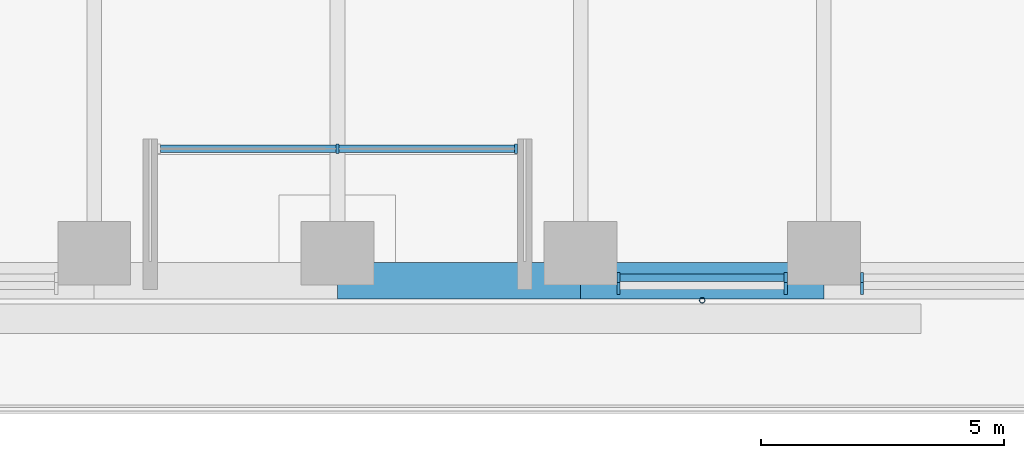
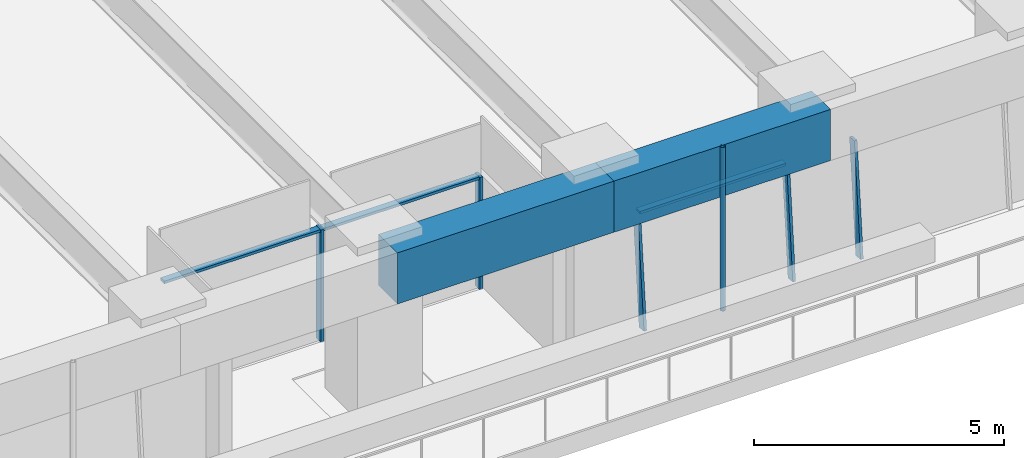
# One storey, part 4 of 24: 8 members, 2 beams, 3 elements without a shape of their own.
"""IFC4 building model written with IfcOpenShell, lengths in metres."""

from ifc_helpers import new_model, si_unit, direction, frame, origin, origin_2d, place, context, subcontext, project, spatial, rectangle, hollow_circle, extrude, material, material_profile, profile_set, type_object, element, aggregate, save


model = new_model("IFC4")

# Units and contexts
model_context = context("Model", 3, precision=1e-05, world=origin(), true_north=direction((0.0, 1.0)))
body_context = subcontext(model_context, "Body", "Model", "MODEL_VIEW")
ifc_project = project(units=[si_unit("LENGTHUNIT", "METRE"), si_unit("AREAUNIT", "SQUARE_METRE"), si_unit("VOLUMEUNIT", "CUBIC_METRE"), si_unit("PLANEANGLEUNIT", "RADIAN"), si_unit("MASSUNIT", "GRAM", prefix="KILO")], contexts=[model_context])

# Site, building, storey
site_placement = place(None, origin())
site = spatial("IfcSite", under=ifc_project, at=site_placement, CompositionType="ELEMENT")
building_placement = place(site_placement, origin())
building = spatial("IfcBuilding", under=site, at=building_placement, Name="Tarfa Lantern Tower", CompositionType="ELEMENT")
storey_placement = place(building_placement, frame((0.0, 0.0, 190.89990234375)))
storey = spatial("IfcBuildingStorey", under=building, at=storey_placement, Name="L43", CompositionType="ELEMENT", Elevation=190.89990234375)

# Curtain wall, members
ifc_material_1 = material(Name="Aluminium framed curtain wall", Category="aluminium")
curtain_wall_type_1 = type_object("IfcCurtainWallType", Name="CW2 CANTED GLAZING MID ZONE 2750", PredefinedType="USERDEFINED", material=ifc_material_1)
curtain_wall_1_placement = place(storey_placement, origin())
curtain_wall_1 = element("IfcCurtainWall", 1, at=curtain_wall_1_placement, inside=storey, type_object=curtain_wall_type_1, Name="CW2 SB L43", ObjectType="CURTAIN WALL", PredefinedType="USERDEFINED")
ifc_material_2 = material(Name="Aluminium mullion", Category="aluminium")
ifc_material_profile_1 = material_profile(ifc_material_2, rectangle(XDim=0.06494140625, YDim=0.199951171875, at=origin_2d()), Name="AL MULLION 65x200")
ifc_profile_set_1 = profile_set([ifc_material_profile_1], Name="Aluminium mullion")
member_type_1 = type_object("IfcMemberType", Name="CWM1 MULLION 65x200", PredefinedType="MULLION", material=ifc_profile_set_1)
member_1_placement = place(storey_placement, frame((5.7861328125, -31.39990234375, 0.0), z_axis=(0.0, 0.090535746043, 0.995893206468), x_axis=(-1.0, 0.0, 0.0)))
member_1 = element("IfcMember", 2, at=member_1_placement, type_object=member_type_1, Name="CW2 mullion 1", PredefinedType="MULLION", context=body_context, shape_type="SweptSolid", body=[
    extrude(rectangle(XDim=0.06494140625, YDim=0.199951171875, at=origin_2d()), origin(), (0.0, 0.0, 1.0), 2.76123046875),
])
member_2_placement = place(storey_placement, frame((9.224853515625, -31.39990234375, 0.0), z_axis=(0.0, 0.090535746043, 0.995893206468), x_axis=(-1.0, 0.0, 0.0)))
member_2 = element("IfcMember", 3, at=member_2_placement, type_object=member_type_1, Name="CW2 mullion 2", PredefinedType="MULLION", context=body_context, shape_type="SweptSolid", body=[
    extrude(rectangle(XDim=0.06494140625, YDim=0.199951171875, at=origin_2d()), origin(), (0.0, 0.0, 1.0), 2.76123046875),
])

# Curtain wall, member
curtain_wall_2_placement = place(storey_placement, origin())
curtain_wall_2 = element("IfcCurtainWall", 4, at=curtain_wall_2_placement, inside=storey, type_object=curtain_wall_type_1, Name="CW2 SB L43", ObjectType="CURTAIN WALL", PredefinedType="USERDEFINED")
member_3_placement = place(storey_placement, frame((10.789794921875, -31.39990234375, 0.0), z_axis=(0.0, 0.090535746043, 0.995893206468), x_axis=(-1.0, 0.0, 0.0)))
member_3 = element("IfcMember", 5, at=member_3_placement, type_object=member_type_1, Name="CW2 mullion 1", PredefinedType="MULLION", context=body_context, shape_type="SweptSolid", body=[
    extrude(rectangle(XDim=0.06494140625, YDim=0.199951171875, at=origin_2d()), origin(), (0.0, 0.0, 1.0), 2.76123046875),
])
aggregate(curtain_wall_2, [member_3])

# Curtain wall, members
curtain_wall_type_2 = type_object("IfcCurtainWallType", Name="CW10 LOGGIA GLAZING 2750", PredefinedType="USERDEFINED", material=ifc_material_1)
curtain_wall_3_placement = place(storey_placement, origin())
curtain_wall_3 = element("IfcCurtainWall", 6, at=curtain_wall_3_placement, inside=storey, type_object=curtain_wall_type_2, Name="CW10 SL L43", ObjectType="CURTAIN WALL", PredefinedType="USERDEFINED")
member_4_placement = place(storey_placement, frame((0.0, -28.5, 0.0), z_axis=(0.0, 0.0, 1.0), x_axis=(1.0, 0.0, 0.0)))
member_4 = element("IfcMember", 7, at=member_4_placement, type_object=member_type_1, Name="CW10 mullion 2", PredefinedType="MULLION", context=body_context, shape_type="SweptSolid", body=[
    extrude(rectangle(XDim=0.06494140625, YDim=0.199951171875, at=origin_2d()), origin(), (0.0, 0.0, 1.0), 2.75),
])
member_5_placement = place(storey_placement, frame((3.671142578125, -28.5, 0.0), z_axis=(0.0, 0.0, 1.0), x_axis=(1.0, 0.0, 0.0)))
member_5 = element("IfcMember", 8, at=member_5_placement, type_object=member_type_1, Name="CW10 mullion 3", PredefinedType="MULLION", context=body_context, shape_type="SweptSolid", body=[
    extrude(rectangle(XDim=0.06494140625, YDim=0.199951171875, at=origin_2d()), origin(), (0.0, 0.0, 1.0), 2.75),
])

# Member
ifc_material_3 = material(Name="Aluminium transom", Category="aluminium")
ifc_material_profile_2 = material_profile(ifc_material_3, rectangle(XDim=0.14990234375, YDim=0.06494140625, at=origin_2d()), Name="AL TRANSOM 150x65")
ifc_profile_set_2 = profile_set([ifc_material_profile_2], Name="Aluminium transom")
member_type_2 = type_object("IfcMemberType", Name="CWT1 TRANSOM 150x65", PredefinedType="USERDEFINED", material=ifc_profile_set_2)
member_6_placement = place(storey_placement, frame((5.818603515625, -31.153076171875, 2.717529296875), z_axis=(1.0, 0.0, 0.0), x_axis=(0.0, 1.0, 0.0)))
member_6 = element("IfcMember", 9, at=member_6_placement, type_object=member_type_2, Name="CW2 transom 1.2", ObjectType="TRANSOM", PredefinedType="USERDEFINED", context=body_context, shape_type="SweptSolid", body=[
    extrude(rectangle(XDim=0.14990234375, YDim=0.06494140625, at=origin_2d()), origin(), (0.0, 0.0, 1.0), 3.373779296875),
])

aggregate(curtain_wall_1, [member_1, member_2, member_6])

member_7_placement = place(storey_placement, frame((-3.638671875, -28.5, 2.717529296875), z_axis=(1.0, 0.0, 0.0), x_axis=(0.0, 1.0, 0.0)))
member_7 = element("IfcMember", 10, at=member_7_placement, type_object=member_type_2, Name="CW10 transom 1.2", ObjectType="TRANSOM", PredefinedType="USERDEFINED", context=body_context, shape_type="SweptSolid", body=[
    extrude(rectangle(XDim=0.14990234375, YDim=0.06494140625, at=origin_2d()), origin(), (0.0, 0.0, 1.0), 7.27734375),
])

aggregate(curtain_wall_3, [member_4, member_5, member_7])

# Beams
ifc_material_4 = material(Name="Concrete C80/95", Category="concrete")
ifc_material_profile_3 = material_profile(ifc_material_4, rectangle(XDim=0.75, YDim=1.25, at=origin_2d()), Name="RC 750x1250")
ifc_profile_set_3 = profile_set([ifc_material_profile_3], Name="Concrete C80/95")
beam_type = type_object("IfcBeamType", Name="EB2 RC 750x1250", PredefinedType="SPANDREL", material=ifc_profile_set_3)
for number, where, z_axis, x_axis, name in (
    (11, (0.0, -31.219970703125, 3.375), (1.0, 0.0, 0.0), (0.0, 1.0, 0.0), "Edge beam S3"),
    (12, (5.003662109375, -31.219970703125, 3.375), (1.0, 0.0, 0.0), (0.0, 1.0, 0.0), "Edge beam S4"),
):
    element("IfcBeam", number, at=place(storey_placement, frame(where, z_axis=z_axis, x_axis=x_axis)), inside=storey, type_object=beam_type, Name=name, PredefinedType="SPANDREL", context=body_context, shape_type="SweptSolid", body=[
        extrude(rectangle(XDim=0.75, YDim=1.25, at=origin_2d()), origin(), (0.0, 0.0, 1.0), 5.003662109375),
    ])

# Member
ifc_material_5 = material(Name="Steel S355", Category="steel")
ifc_material_profile_4 = material_profile(ifc_material_5, hollow_circle(Radius=0.05712890625, WallThickness=0.00634765625, at=origin_2d()), Name="CHS114.3x6.3")
ifc_profile_set_4 = profile_set([ifc_material_profile_4], Name="Steel S355")
member_type_3 = type_object("IfcMemberType", Name="TR1 GREEN WALL TRELLIS CHS114.3x6.3", PredefinedType="USERDEFINED", material=ifc_profile_set_4)
member_8_placement = place(storey_placement, frame((7.505615234375, -31.6201171875, 0.0), z_axis=(0.0, 0.0, 1.0), x_axis=(1.0, 0.0, 0.0)))
element("IfcMember", 13, at=member_8_placement, inside=storey, type_object=member_type_3, Name="Trellis post S 2", ObjectType="TRELLIS", PredefinedType="USERDEFINED", context=body_context, shape_type="SweptSolid", body=[
    extrude(hollow_circle(Radius=0.05712890625, WallThickness=0.00634765625, at=origin_2d()), origin(), (0.0, 0.0, 1.0), 4.0),
])

save(model, "model.ifc")
